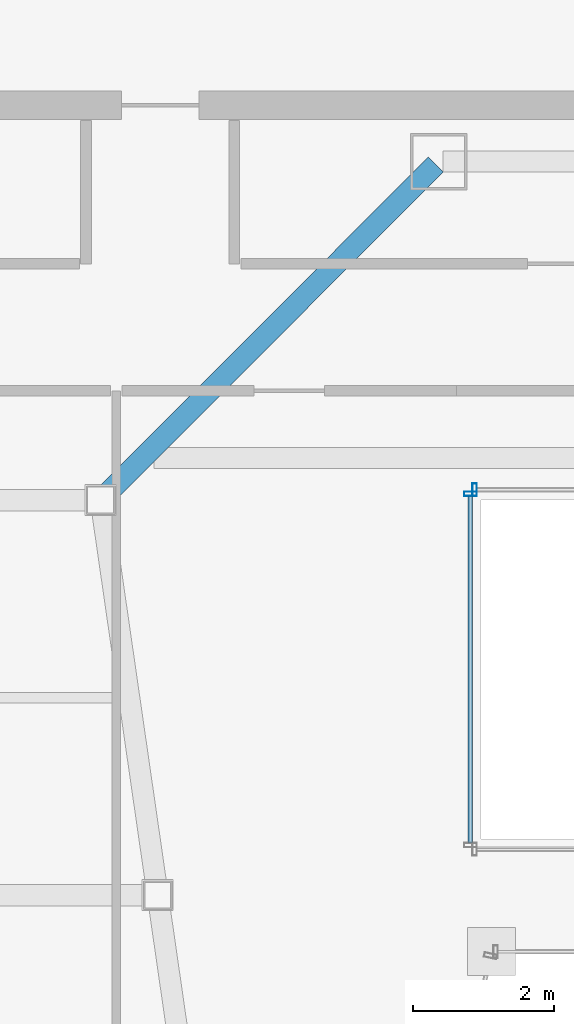
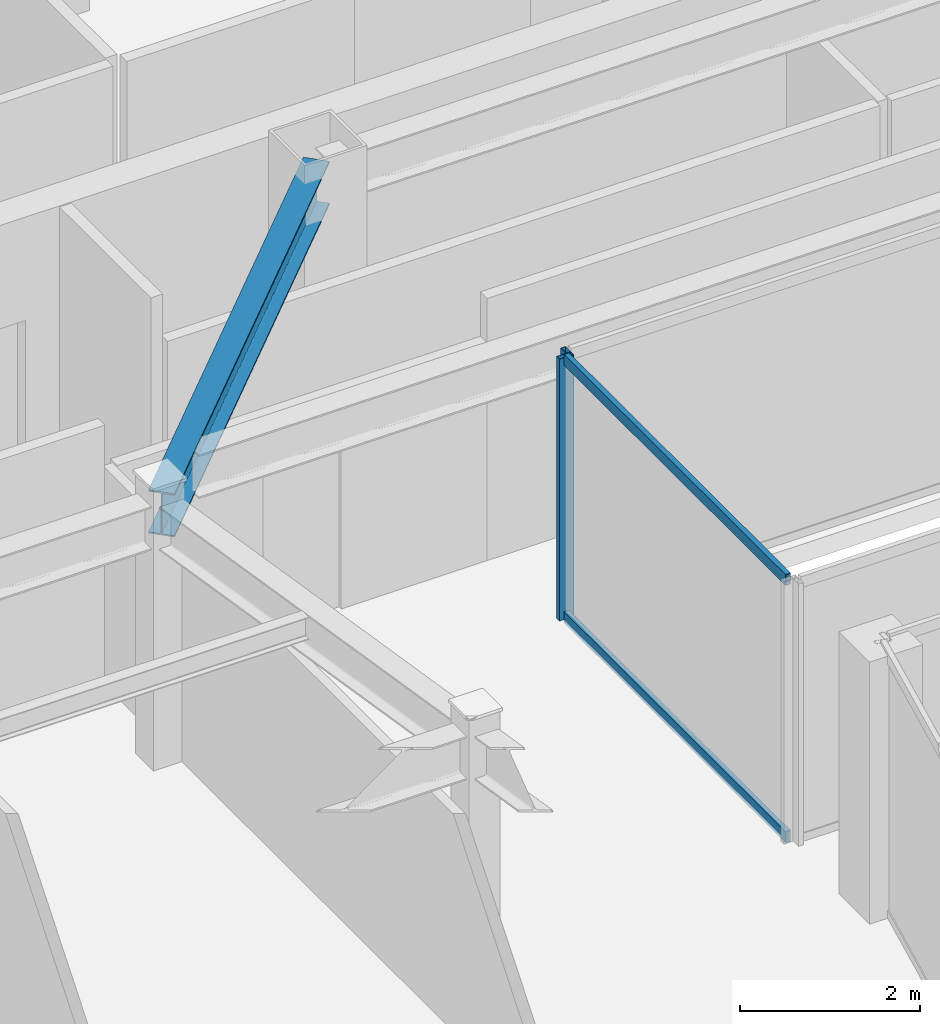
# One storey, part 9 of 33: 4 members, 1 beam, 2 elements without a shape of their own.
"""IFC4 building model written with IfcOpenShell, lengths in metres."""

from ifc_helpers import new_model, si_unit, direction, frame, origin, origin_2d, place, context, subcontext, project, spatial, hollow_rectangle, i_section, extrude, material, material_profile, profile_set, type_object, element, aggregate, save


model = new_model("IFC4")

# Units and contexts
model_context = context("Model", 3, precision=1e-05, world=origin(), true_north=direction((0.0, 1.0)))
body_context = subcontext(model_context, "Body", "Model", "MODEL_VIEW")
ifc_project = project(units=[si_unit("LENGTHUNIT", "METRE"), si_unit("AREAUNIT", "SQUARE_METRE"), si_unit("VOLUMEUNIT", "CUBIC_METRE"), si_unit("PLANEANGLEUNIT", "RADIAN"), si_unit("MASSUNIT", "GRAM", prefix="KILO")], contexts=[model_context])

# Site, building, storey
site_placement = place(None, origin())
site = spatial("IfcSite", under=ifc_project, at=site_placement, CompositionType="ELEMENT")
building_placement = place(site_placement, origin())
building = spatial("IfcBuilding", under=site, at=building_placement, Name="Saevonmaru Cultural Tower", CompositionType="ELEMENT")
storey_placement = place(building_placement, frame((0.0, 0.0, 234.39990234375)))
storey = spatial("IfcBuildingStorey", under=building, at=storey_placement, Name="L54", CompositionType="ELEMENT", Elevation=234.39990234375)

# Beam
ifc_material_1 = material(Name="Steel SM355", Category="steel")
ifc_material_profile_1 = material_profile(ifc_material_1, i_section(OverallWidth=0.300048828125, OverallDepth=0.587890625, WebThickness=0.011962890625, FlangeThickness=0.02001953125, FilletRadius=0.02392578125, at=origin_2d()), Name="H-588x300x12x20")
ifc_profile_set_1 = profile_set([ifc_material_profile_1], Name="Steel SM355")
beam_type = type_object("IfcBeamType", Name="BM-G-H588", PredefinedType="BEAM", material=ifc_profile_set_1)
beam_placement = place(storey_placement, frame((18.850341796875, 37.642578125, 3.256103515625), z_axis=(0.706538566564, 0.707674539572, 0.0), x_axis=(-0.707674539572, 0.706538566564, 0.0)))
element("IfcBeam", 1, at=beam_placement, inside=storey, type_object=beam_type, Name="L54 West Atrium Girder 4", PredefinedType="BEAM", context=body_context, shape_type="SweptSolid", body=[
    extrude(i_section(OverallWidth=0.300048828125, OverallDepth=0.587890625, WebThickness=0.011962890625, FlangeThickness=0.02001953125, FilletRadius=0.02392578125, at=origin_2d()), origin(), (0.0, 0.0, 1.0), 6.662353515625),
])

# Curtain wall, member
ifc_material_2 = material(Name="Satin Bronze Anodised Aluminium", Category="aluminium")
curtain_wall_type = type_object("IfcCurtainWallType", Name="CW-ATR-GLZ", PredefinedType="NOTDEFINED", material=ifc_material_2)
curtain_wall_1_placement = place(storey_placement, origin())
curtain_wall_1 = element("IfcCurtainWall", 2, at=curtain_wall_1_placement, inside=storey, type_object=curtain_wall_type, Name="L54 Vertical Atrium Glazed Smoke Screen 3", PredefinedType="NOTDEFINED")
ifc_material_profile_2 = material_profile(ifc_material_2, hollow_rectangle(XDim=0.06494140625, YDim=0.179931640625, WallThickness=0.00390625, at=origin_2d()), Name="ALU-MULL-180x65x4")
ifc_profile_set_2 = profile_set([ifc_material_profile_2], Name="Satin Bronze Anodised Aluminium")
member_type_1 = type_object("IfcMemberType", Name="ML-CW-INT-180x65", PredefinedType="MULLION", material=ifc_profile_set_2)
member_1_placement = place(storey_placement, frame((24.110107421875, 37.75, 0.0), z_axis=(0.0, 0.0, 1.0), x_axis=(-1.0, 0.0, 0.0)))
member_1 = element("IfcMember", 3, at=member_1_placement, type_object=member_type_1, Name="CW-ATR-L54-3 mullion 2", PredefinedType="MULLION", context=body_context, shape_type="SweptSolid", body=[
    extrude(hollow_rectangle(XDim=0.06494140625, YDim=0.179931640625, WallThickness=0.00390625, at=origin_2d()), origin(), (0.0, 0.0, 1.0), 3.550048828125),
])
aggregate(curtain_wall_1, [member_1])

# Curtain wall, members
curtain_wall_2_placement = place(storey_placement, origin())
curtain_wall_2 = element("IfcCurtainWall", 4, at=curtain_wall_2_placement, inside=storey, type_object=curtain_wall_type, Name="L54 Vertical Atrium Glazed Smoke Screen 4", PredefinedType="NOTDEFINED")
member_2_placement = place(storey_placement, frame((24.050048828125, 37.68994140625, 0.0), z_axis=(0.0, 0.0, 1.0), x_axis=(0.0, -1.0, 0.0)))
member_2 = element("IfcMember", 5, at=member_2_placement, type_object=member_type_1, Name="CW-ATR-L54-4 mullion 1", PredefinedType="MULLION", context=body_context, shape_type="SweptSolid", body=[
    extrude(hollow_rectangle(XDim=0.06494140625, YDim=0.179931640625, WallThickness=0.00390625, at=origin_2d()), origin(), (0.0, 0.0, 1.0), 3.550048828125),
])
ifc_material_profile_3 = material_profile(ifc_material_2, hollow_rectangle(XDim=0.06494140625, YDim=0.14990234375, WallThickness=0.00390625, at=origin_2d()), Name="ALU-TRAN-150x65x4")
ifc_profile_set_3 = profile_set([ifc_material_profile_3], Name="Satin Bronze Anodised Aluminium")
member_type_2 = type_object("IfcMemberType", Name="TR-CW-INT-150x65", PredefinedType="USERDEFINED", material=ifc_profile_set_3)
member_3_placement = place(storey_placement, frame((24.050048828125, 37.657470703125, 0.03271484375), z_axis=(0.0, -1.0, 0.0), x_axis=(1.0, 0.0, 0.0)))
member_3 = element("IfcMember", 6, at=member_3_placement, type_object=member_type_2, Name="CW-ATR-L54-4 transom 1.1", ObjectType="TRANSOM", PredefinedType="USERDEFINED", context=body_context, shape_type="SweptSolid", body=[
    extrude(hollow_rectangle(XDim=0.06494140625, YDim=0.14990234375, WallThickness=0.00390625, at=origin_2d()), origin(), (0.0, 0.0, 1.0), 4.9150390625),
])
member_4_placement = place(storey_placement, frame((24.050048828125, 37.657470703125, 3.517578125), z_axis=(0.0, -1.0, 0.0), x_axis=(1.0, 0.0, 0.0)))
member_4 = element("IfcMember", 7, at=member_4_placement, type_object=member_type_2, Name="CW-ATR-L54-4 transom 1.2", ObjectType="TRANSOM", PredefinedType="USERDEFINED", context=body_context, shape_type="SweptSolid", body=[
    extrude(hollow_rectangle(XDim=0.06494140625, YDim=0.14990234375, WallThickness=0.00390625, at=origin_2d()), origin(), (0.0, 0.0, 1.0), 4.9150390625),
])
aggregate(curtain_wall_2, [member_2, member_3, member_4])

save(model, "model.ifc")
